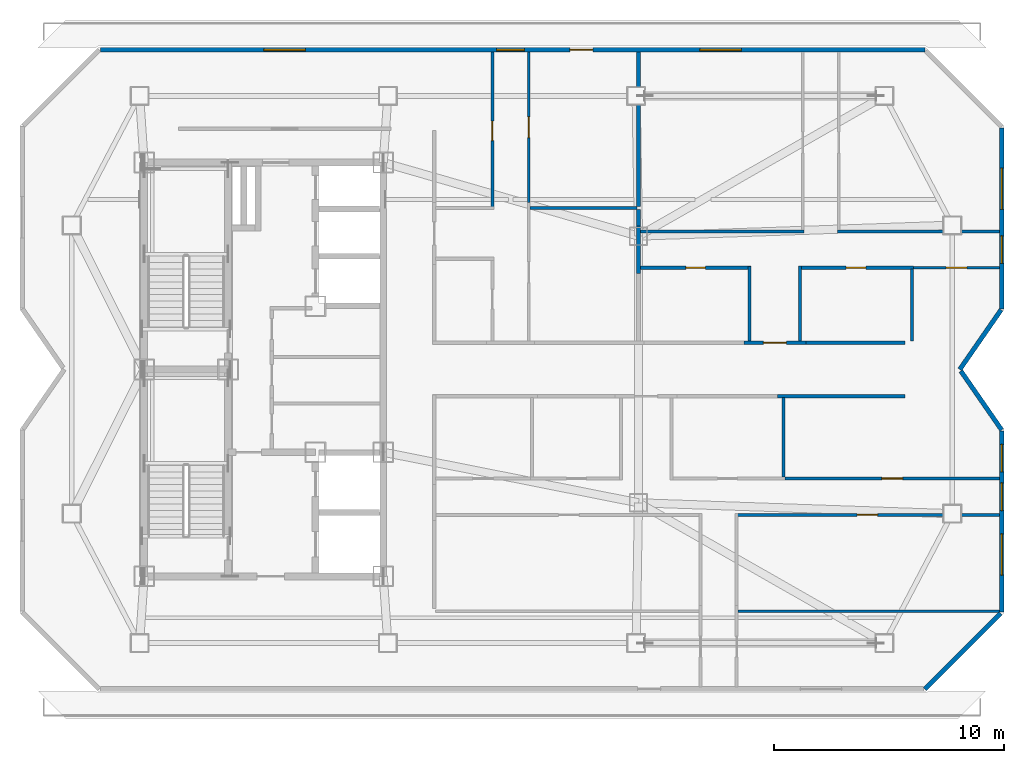
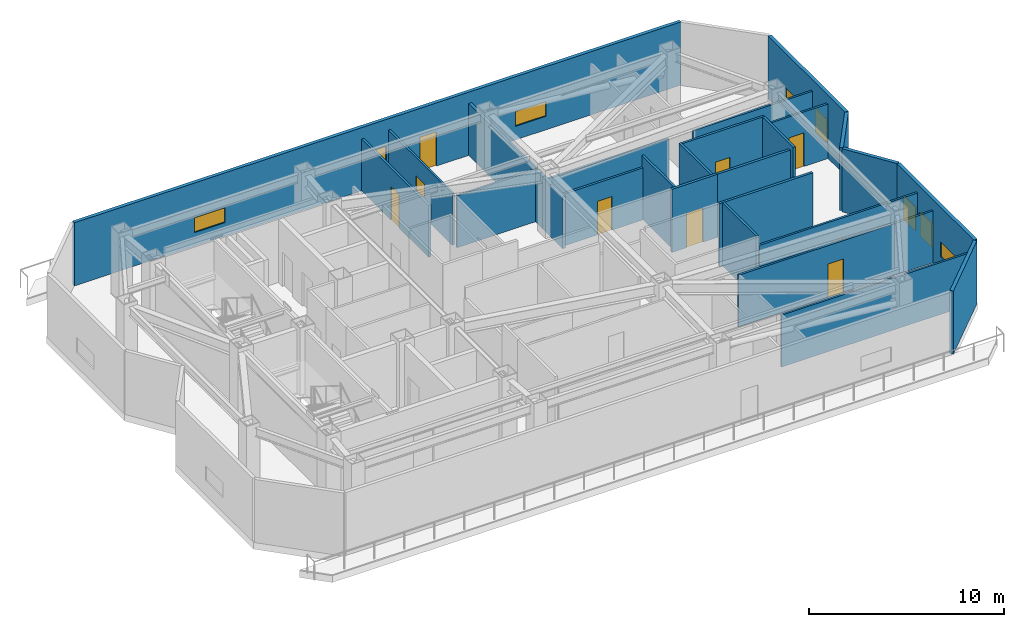
# One storey, part 6 of 11: 27 walls, 9 doors, 8 windows, 17 openings.
"""IFC4 building model written with IfcOpenShell, lengths in metres."""

from ifc_helpers import new_model, si_unit, direction, frame, frame_2d, origin, place, context, subcontext, project, spatial, rectangle, extrude, material, layer, layer_set, type_object, element, fill, save


model = new_model("IFC4")

# Units and contexts
model_context = context("Model", 3, precision=1e-05, world=origin(), true_north=direction((0.0, 1.0)))
body_context = subcontext(model_context, "Body", "Model", "MODEL_VIEW")
ifc_project = project(units=[si_unit("LENGTHUNIT", "METRE"), si_unit("AREAUNIT", "SQUARE_METRE"), si_unit("VOLUMEUNIT", "CUBIC_METRE"), si_unit("PLANEANGLEUNIT", "RADIAN"), si_unit("MASSUNIT", "GRAM", prefix="KILO")], contexts=[model_context])

# Site, building, storey
site_placement = place(None, origin())
site = spatial("IfcSite", under=ifc_project, at=site_placement, CompositionType="ELEMENT")
building_placement = place(site_placement, origin())
building = spatial("IfcBuilding", under=site, at=building_placement, Name="Khamvora Tower", CompositionType="ELEMENT")
storey_placement = place(building_placement, frame((0.0, 0.0, 277.85009765625)))
storey = spatial("IfcBuildingStorey", under=building, at=storey_placement, Name="L71", CompositionType="ELEMENT", Elevation=277.85009765625)

# Wall
ifc_material_1 = material(Name="Fire-Rated Drywall and Steel Stud", Category="steel")
ifc_layer_1 = layer(ifc_material_1, 0.14990234375)
ifc_layer_set_1 = layer_set([ifc_layer_1], Name="Fire-Rated Drywall and Steel Stud")
wall_type_1 = type_object("IfcWallType", Name="WAL-CORR-150", PredefinedType="STANDARD", material=ifc_layer_set_1)
wall_1_placement = place(storey_placement, frame((62.090087890625, 26.8349609375, 0.0), z_axis=(0.0, 0.0, 1.0), x_axis=(-1.0, 0.0, 0.0)))
element("IfcWall", 1, at=wall_1_placement, inside=storey, type_object=wall_type_1, Name="L71 interior partition wall 010", PredefinedType="STANDARD", context=body_context, shape_type="SweptSolid", body=[
    extrude(rectangle(XDim=5.5380859375, YDim=0.14990234375, at=frame_2d((2.76904296875, 0.0))), origin(), (0.0, 0.0, 1.0), 3.949951171875),
])

# Wall, opening, door
wall_2_placement = place(storey_placement, frame((55.08203125, 29.1650390625, 0.0), z_axis=(0.0, 0.0, 1.0), x_axis=(1.0, 0.0, 0.0)))
wall_2 = element("IfcWall", 2, at=wall_2_placement, inside=storey, type_object=wall_type_1, Name="L71 interior partition wall 022", PredefinedType="STANDARD", context=body_context, shape_type="SweptSolid", body=[
    extrude(rectangle(XDim=2.697998046875, YDim=0.14990234375, at=frame_2d((1.34912109375, 0.0))), origin(), (0.0, 0.0, 1.0), 3.949951171875),
])
opening_1_placement = place(wall_2_placement, frame((0.84912109375, 0.0, 0.0)))
opening_1 = element("IfcOpeningElement", 3, at=opening_1_placement, cuts=wall_2, Name="Opening D-U1", PredefinedType="OPENING", context=body_context, shape_type="SweptSolid", body=[
    extrude(rectangle(XDim=1.0, YDim=2.14990234375, at=frame_2d((0.5, 1.074951171875))), frame((0.0, 0.0849609375, 0.0), z_axis=(0.0, -1.0, 0.0), x_axis=(1.0, 0.0, 0.0)), (0.0, 0.0, 1.0), 0.169921875),
])
ifc_material_2 = material(Name="Powder-Coated Steel and Hardwood Leaf", Category="steel")
door_type_1 = type_object("IfcDoorType", Name="DOR-UNIT-1000", OperationType="NOTDEFINED", PredefinedType="DOOR", material=ifc_material_2)
door_1_placement = place(opening_1_placement, origin())
door_1 = element("IfcDoor", 4, at=door_1_placement, inside=storey, type_object=door_type_1, Name="L71 interior door COR-71DH", OperationType="SINGLE_SWING_RIGHT", OverallHeight=2.14990234375, OverallWidth=1.0, PredefinedType="DOOR", context=body_context, shape_type="SweptSolid", body=[
    extrude(rectangle(XDim=1.0, YDim=2.14990234375, at=frame_2d((0.5, 1.074951171875))), frame((0.0, 0.02490234375, 0.0), z_axis=(0.0, -1.0, 0.0), x_axis=(1.0, 0.0, 0.0)), (0.0, 0.0, 1.0), 0.050048828125),
])
fill(opening_1, door_1)

# Walls
wall_3_placement = place(storey_placement, frame((57.780029296875, 29.1650390625, 0.0), z_axis=(0.0, 0.0, 1.0), x_axis=(1.0, 0.0, 0.0)))
element("IfcWall", 5, at=wall_3_placement, inside=storey, type_object=wall_type_1, Name="L71 interior partition wall 024", PredefinedType="STANDARD", context=body_context, shape_type="SweptSolid", body=[
    extrude(rectangle(XDim=4.31005859375, YDim=0.14990234375, at=frame_2d((2.155029296875, 0.0))), origin(), (0.0, 0.0, 1.0), 3.949951171875),
])
ifc_material_3 = material(Name="Acoustic Double-Stud Fire Wall", Category="gypsum")
ifc_layer_2 = layer(ifc_material_3, 0.179931640625)
ifc_layer_set_2 = layer_set([ifc_layer_2], Name="Acoustic Double-Stud Fire Wall")
wall_type_2 = type_object("IfcWallType", Name="WAL-CORR-180", PredefinedType="STANDARD", material=ifc_layer_set_2)
wall_4_placement = place(storey_placement, frame((50.4951171875, 34.248046875, 0.0), z_axis=(0.0, 0.0, 1.0), x_axis=(0.0, -1.0, 0.0)))
element("IfcWall", 6, at=wall_4_placement, inside=storey, type_object=wall_type_2, Name="L71 interior partition wall 048", PredefinedType="STANDARD", context=body_context, shape_type="SweptSolid", body=[
    extrude(rectangle(XDim=2.069091796875, YDim=0.179931640625, at=frame_2d((1.03466796875, 0.0))), origin(), (0.0, 0.0, 1.0), 3.244873046875),
])
wall_5_placement = place(storey_placement, frame((50.4951171875, 34.9541015625, 0.0), z_axis=(0.0, 0.0, 1.0), x_axis=(0.0, -1.0, 0.0)))
element("IfcWall", 7, at=wall_5_placement, inside=storey, type_object=wall_type_2, Name="L71 interior partition wall 050", PredefinedType="STANDARD", context=body_context, shape_type="SweptSolid", body=[
    extrude(rectangle(XDim=0.7060546875, YDim=0.179931640625, at=frame_2d((0.35302734375, 0.0))), origin(), (0.0, 0.0, 1.0), 3.244873046875),
])
wall_6_placement = place(storey_placement, frame((50.4951171875, 41.80810546875, 0.0), z_axis=(0.0, 0.0, 1.0), x_axis=(0.0, -1.0, 0.0)))
element("IfcWall", 8, at=wall_6_placement, inside=storey, type_object=wall_type_2, Name="L71 interior partition wall 051", PredefinedType="STANDARD", context=body_context, shape_type="SweptSolid", body=[
    extrude(rectangle(XDim=6.72412109375, YDim=0.179931640625, at=frame_2d((3.362060546875, 0.0))), origin(), (0.0, 0.0, 1.0), 3.244873046875),
])

# Wall, openings, door, windows
ifc_material_4 = material(Name="Precast concrete C40/50", Category="concrete")
ifc_layer_3 = layer(ifc_material_4, 0.199951171875)
ifc_layer_set_3 = layer_set([ifc_layer_3], Name="Precast concrete C40/50")
wall_type_3 = type_object("IfcWallType", Name="WAL-EXT-200", PredefinedType="STANDARD", material=ifc_layer_set_3)
wall_7_placement = place(storey_placement, frame((27.10205078125, 41.89990234375, 0.0), z_axis=(0.0, 0.0, 1.0), x_axis=(1.0, 0.0, 0.0)))
wall_7 = element("IfcWall", 9, at=wall_7_placement, inside=storey, type_object=wall_type_3, Name="L71 exterior facade wall 07.1", PredefinedType="STANDARD", context=body_context, shape_type="SweptSolid", body=[
    extrude(rectangle(XDim=35.85693359375, YDim=0.199951171875, at=frame_2d((17.928466796875, 0.0))), origin(), (0.0, 0.0, 1.0), 3.949951171875),
])
opening_2_placement = place(wall_7_placement, frame((20.4169921875, 0.0, 0.0)))
opening_2 = element("IfcOpeningElement", 10, at=opening_2_placement, cuts=wall_7, Name="Opening BD-02", PredefinedType="OPENING", context=body_context, shape_type="SweptSolid", body=[
    extrude(rectangle(XDim=1.0, YDim=2.14990234375, at=frame_2d((0.5, 1.074951171875))), frame((0.0, 0.10986328125, 0.0), z_axis=(0.0, -1.0, 0.0), x_axis=(1.0, 0.0, 0.0)), (0.0, 0.0, 1.0), 0.219970703125),
])
opening_3_placement = place(wall_7_placement, frame((7.10791015625, 0.0, 0.85009765625)))
opening_3 = element("IfcOpeningElement", 11, at=opening_3_placement, cuts=wall_7, Name="Opening WN-09", PredefinedType="OPENING", context=body_context, shape_type="SweptSolid", body=[
    extrude(rectangle(XDim=1.800048828125, YDim=0.919921875, at=frame_2d((0.89990234375, 0.4599609375))), frame((0.0, 0.10986328125, 0.0), z_axis=(0.0, -1.0, 0.0), x_axis=(1.0, 0.0, 0.0)), (0.0, 0.0, 1.0), 0.219970703125),
])
opening_4_placement = place(wall_7_placement, frame((17.23291015625, 0.0, 0.780029296875)))
opening_4 = element("IfcOpeningElement", 12, at=opening_4_placement, cuts=wall_7, Name="Opening WN-03", PredefinedType="OPENING", context=body_context, shape_type="SweptSolid", body=[
    extrude(rectangle(XDim=1.199951171875, YDim=1.5, at=frame_2d((0.60009765625, 0.75))), frame((0.0, 0.10986328125, 0.0), z_axis=(0.0, -1.0, 0.0), x_axis=(1.0, 0.0, 0.0)), (0.0, 0.0, 1.0), 0.219970703125),
])
opening_5_placement = place(wall_7_placement, frame((26.072998046875, 0.0, 0.85009765625)))
opening_5 = element("IfcOpeningElement", 13, at=opening_5_placement, cuts=wall_7, Name="Opening WN-09", PredefinedType="OPENING", context=body_context, shape_type="SweptSolid", body=[
    extrude(rectangle(XDim=1.800048828125, YDim=0.919921875, at=frame_2d((0.89990234375, 0.4599609375))), frame((0.0, 0.10986328125, 0.0), z_axis=(0.0, -1.0, 0.0), x_axis=(1.0, 0.0, 0.0)), (0.0, 0.0, 1.0), 0.219970703125),
])
ifc_material_5 = material(Name="Anodised Aluminium and Laminated Safety Glass", Category="aluminium")
door_type_2 = type_object("IfcDoorType", Name="DOR-BAL-1000", OperationType="NOTDEFINED", PredefinedType="DOOR", material=ifc_material_5)
door_2_placement = place(opening_2_placement, origin())
door_2 = element("IfcDoor", 14, at=door_2_placement, inside=storey, type_object=door_type_2, Name="L71 stepped roof terrace access door N", OperationType="SLIDING_TO_LEFT", OverallHeight=2.14990234375, OverallWidth=1.0, PredefinedType="DOOR", context=body_context, shape_type="SweptSolid", body=[
    extrude(rectangle(XDim=1.0, YDim=2.14990234375, at=frame_2d((0.5, 1.074951171875))), frame((0.0, 0.02490234375, 0.0), z_axis=(0.0, -1.0, 0.0), x_axis=(1.0, 0.0, 0.0)), (0.0, 0.0, 1.0), 0.050048828125),
])
fill(opening_2, door_2)
ifc_material_6 = material(Name="Low-E Laminated Double Glazing", Category="glass")
window_type_1 = type_object("IfcWindowType", Name="WIN-CLR-1800x920", PartitioningType="SINGLE_PANEL", PredefinedType="WINDOW", material=ifc_material_6)
window_1_placement = place(opening_3_placement, origin())
window_1 = element("IfcWindow", 15, at=window_1_placement, inside=storey, type_object=window_type_1, Name="L71 vision window 07.1.01", OverallHeight=0.919921875, OverallWidth=1.800048828125, PartitioningType="SINGLE_PANEL", PredefinedType="WINDOW", context=body_context, shape_type="SweptSolid", body=[
    extrude(rectangle(XDim=1.800048828125, YDim=0.919921875, at=frame_2d((0.89990234375, 0.4599609375))), frame((0.0, 0.030029296875, 0.0), z_axis=(0.0, -1.0, 0.0), x_axis=(1.0, 0.0, 0.0)), (0.0, 0.0, 1.0), 0.06005859375),
])
fill(opening_3, window_1)
window_2_placement = place(opening_5_placement, origin())
window_2 = element("IfcWindow", 16, at=window_2_placement, inside=storey, type_object=window_type_1, Name="L71 vision window 07.1.03", OverallHeight=0.919921875, OverallWidth=1.800048828125, PartitioningType="SINGLE_PANEL", PredefinedType="WINDOW", context=body_context, shape_type="SweptSolid", body=[
    extrude(rectangle(XDim=1.800048828125, YDim=0.919921875, at=frame_2d((0.89990234375, 0.4599609375))), frame((0.0, 0.030029296875, 0.0), z_axis=(0.0, -1.0, 0.0), x_axis=(1.0, 0.0, 0.0)), (0.0, 0.0, 1.0), 0.06005859375),
])
fill(opening_5, window_2)
window_type_2 = type_object("IfcWindowType", Name="WIN-VIS-1200x1500", PartitioningType="SINGLE_PANEL", PredefinedType="WINDOW", material=ifc_material_6)
window_3_placement = place(opening_4_placement, origin())
window_3 = element("IfcWindow", 17, at=window_3_placement, inside=storey, type_object=window_type_2, Name="L71 vision window 07.1.02", OverallHeight=1.5, OverallWidth=1.199951171875, PartitioningType="SINGLE_PANEL", PredefinedType="WINDOW", context=body_context, shape_type="SweptSolid", body=[
    extrude(rectangle(XDim=1.199951171875, YDim=1.5, at=frame_2d((0.60009765625, 0.75))), frame((0.0, 0.030029296875, 0.0), z_axis=(0.0, -1.0, 0.0), x_axis=(1.0, 0.0, 0.0)), (0.0, 0.0, 1.0), 0.06005859375),
])
fill(opening_4, window_3)

# Wall, openings, windows
wall_8_placement = place(storey_placement, frame((66.300048828125, 38.49609375, 0.0), z_axis=(0.0, 0.0, 1.0), x_axis=(0.0, -1.0, 0.0)))
wall_8 = element("IfcWall", 18, at=wall_8_placement, inside=storey, type_object=wall_type_3, Name="L71 exterior facade wall 09.1", PredefinedType="STANDARD", context=body_context, shape_type="SweptSolid", body=[
    extrude(rectangle(XDim=7.864990234375, YDim=0.199951171875, at=frame_2d((3.9326171875, 0.0))), origin(), (0.0, 0.0, 1.0), 3.949951171875),
])
opening_6_placement = place(wall_8_placement, frame((4.681884765625, 0.0, 0.780029296875)))
opening_6 = element("IfcOpeningElement", 19, at=opening_6_placement, cuts=wall_8, Name="Opening WN-03", PredefinedType="OPENING", context=body_context, shape_type="SweptSolid", body=[
    extrude(rectangle(XDim=1.199951171875, YDim=1.5, at=frame_2d((0.60009765625, 0.75))), frame((0.0, 0.10986328125, 0.0), z_axis=(0.0, -1.0, 0.0), x_axis=(1.0, 0.0, 0.0)), (0.0, 0.0, 1.0), 0.219970703125),
])
opening_7_placement = place(wall_8_placement, frame((1.738037109375, 0.0, 0.85009765625)))
opening_7 = element("IfcOpeningElement", 20, at=opening_7_placement, cuts=wall_8, Name="Opening WN-09", PredefinedType="OPENING", context=body_context, shape_type="SweptSolid", body=[
    extrude(rectangle(XDim=1.800048828125, YDim=0.919921875, at=frame_2d((0.89990234375, 0.4599609375))), frame((0.0, 0.10986328125, 0.0), z_axis=(0.0, -1.0, 0.0), x_axis=(1.0, 0.0, 0.0)), (0.0, 0.0, 1.0), 0.219970703125),
])
window_4_placement = place(opening_7_placement, origin())
window_4 = element("IfcWindow", 21, at=window_4_placement, inside=storey, type_object=window_type_1, Name="L71 vision window 09.1.02", OverallHeight=0.919921875, OverallWidth=1.800048828125, PartitioningType="SINGLE_PANEL", PredefinedType="WINDOW", context=body_context, shape_type="SweptSolid", body=[
    extrude(rectangle(XDim=1.800048828125, YDim=0.919921875, at=frame_2d((0.89990234375, 0.4599609375))), frame((0.0, 0.030029296875, 0.0), z_axis=(0.0, -1.0, 0.0), x_axis=(1.0, 0.0, 0.0)), (0.0, 0.0, 1.0), 0.06005859375),
])
fill(opening_7, window_4)
window_5_placement = place(opening_6_placement, origin())
window_5 = element("IfcWindow", 22, at=window_5_placement, inside=storey, type_object=window_type_2, Name="L71 vision window 09.1.01", OverallHeight=1.5, OverallWidth=1.199951171875, PartitioningType="SINGLE_PANEL", PredefinedType="WINDOW", context=body_context, shape_type="SweptSolid", body=[
    extrude(rectangle(XDim=1.199951171875, YDim=1.5, at=frame_2d((0.60009765625, 0.75))), frame((0.0, 0.030029296875, 0.0), z_axis=(0.0, -1.0, 0.0), x_axis=(1.0, 0.0, 0.0)), (0.0, 0.0, 1.0), 0.06005859375),
])
fill(opening_6, window_5)

# Walls
wall_9_placement = place(storey_placement, frame((66.27294921875, 30.592041015625, 0.0), z_axis=(0.0, 0.0, 1.0), x_axis=(-0.569302587555, -0.822128070195, 0.0)))
element("IfcWall", 23, at=wall_9_placement, inside=storey, type_object=wall_type_3, Name="L71 exterior facade wall 10.1", PredefinedType="STANDARD", context=body_context, shape_type="SweptSolid", body=[
    extrude(rectangle(XDim=3.15283203125, YDim=0.199951171875, at=frame_2d((1.576416015625, 0.0))), origin(), (0.0, 0.0, 1.0), 3.949951171875),
])
wall_10_placement = place(storey_placement, frame((64.52587890625, 27.930908203125, 0.0), z_axis=(0.0, 0.0, 1.0), x_axis=(0.569311819154, -0.822121677473, 0.0)))
element("IfcWall", 24, at=wall_10_placement, inside=storey, type_object=wall_type_3, Name="L71 exterior facade wall 11.1", PredefinedType="STANDARD", context=body_context, shape_type="SweptSolid", body=[
    extrude(rectangle(XDim=3.116455078125, YDim=0.199951171875, at=frame_2d((1.55810546875, 0.0))), origin(), (0.0, 0.0, 1.0), 3.949951171875),
])

# Wall, openings, windows
wall_11_placement = place(storey_placement, frame((66.300048828125, 25.321044921875, 0.0), z_axis=(0.0, 0.0, 1.0), x_axis=(0.0, -1.0, 0.0)))
wall_11 = element("IfcWall", 25, at=wall_11_placement, inside=storey, type_object=wall_type_3, Name="L71 exterior facade wall 12.1", PredefinedType="STANDARD", context=body_context, shape_type="SweptSolid", body=[
    extrude(rectangle(XDim=7.880126953125, YDim=0.199951171875, at=frame_2d((3.93994140625, 0.0))), origin(), (0.0, 0.0, 1.0), 3.949951171875),
])
opening_8_placement = place(wall_11_placement, frame((0.574951171875, 0.0, 0.780029296875)))
opening_8 = element("IfcOpeningElement", 26, at=opening_8_placement, cuts=wall_11, Name="Opening WN-03", PredefinedType="OPENING", context=body_context, shape_type="SweptSolid", body=[
    extrude(rectangle(XDim=1.199951171875, YDim=1.5, at=frame_2d((0.60009765625, 0.75))), frame((0.0, 0.10986328125, 0.0), z_axis=(0.0, -1.0, 0.0), x_axis=(1.0, 0.0, 0.0)), (0.0, 0.0, 1.0), 0.219970703125),
])
opening_9_placement = place(wall_11_placement, frame((2.256103515625, 0.0, 0.780029296875)))
opening_9 = element("IfcOpeningElement", 27, at=opening_9_placement, cuts=wall_11, Name="Opening WN-03", PredefinedType="OPENING", context=body_context, shape_type="SweptSolid", body=[
    extrude(rectangle(XDim=1.199951171875, YDim=1.5, at=frame_2d((0.60009765625, 0.75))), frame((0.0, 0.10986328125, 0.0), z_axis=(0.0, -1.0, 0.0), x_axis=(1.0, 0.0, 0.0)), (0.0, 0.0, 1.0), 0.219970703125),
])
opening_10_placement = place(wall_11_placement, frame((4.470947265625, 0.0, 0.85009765625)))
opening_10 = element("IfcOpeningElement", 28, at=opening_10_placement, cuts=wall_11, Name="Opening WN-09", PredefinedType="OPENING", context=body_context, shape_type="SweptSolid", body=[
    extrude(rectangle(XDim=1.800048828125, YDim=0.919921875, at=frame_2d((0.89990234375, 0.4599609375))), frame((0.0, 0.10986328125, 0.0), z_axis=(0.0, -1.0, 0.0), x_axis=(1.0, 0.0, 0.0)), (0.0, 0.0, 1.0), 0.219970703125),
])
window_6_placement = place(opening_10_placement, origin())
window_6 = element("IfcWindow", 29, at=window_6_placement, inside=storey, type_object=window_type_1, Name="L71 vision window 12.1.03", OverallHeight=0.919921875, OverallWidth=1.800048828125, PartitioningType="SINGLE_PANEL", PredefinedType="WINDOW", context=body_context, shape_type="SweptSolid", body=[
    extrude(rectangle(XDim=1.800048828125, YDim=0.919921875, at=frame_2d((0.89990234375, 0.4599609375))), frame((0.0, 0.030029296875, 0.0), z_axis=(0.0, -1.0, 0.0), x_axis=(1.0, 0.0, 0.0)), (0.0, 0.0, 1.0), 0.06005859375),
])
fill(opening_10, window_6)
window_7_placement = place(opening_8_placement, origin())
window_7 = element("IfcWindow", 30, at=window_7_placement, inside=storey, type_object=window_type_2, Name="L71 vision window 12.1.01", OverallHeight=1.5, OverallWidth=1.199951171875, PartitioningType="SINGLE_PANEL", PredefinedType="WINDOW", context=body_context, shape_type="SweptSolid", body=[
    extrude(rectangle(XDim=1.199951171875, YDim=1.5, at=frame_2d((0.60009765625, 0.75))), frame((0.0, 0.030029296875, 0.0), z_axis=(0.0, -1.0, 0.0), x_axis=(1.0, 0.0, 0.0)), (0.0, 0.0, 1.0), 0.06005859375),
])
fill(opening_8, window_7)
window_8_placement = place(opening_9_placement, origin())
window_8 = element("IfcWindow", 31, at=window_8_placement, inside=storey, type_object=window_type_2, Name="L71 vision window 12.1.02", OverallHeight=1.5, OverallWidth=1.199951171875, PartitioningType="SINGLE_PANEL", PredefinedType="WINDOW", context=body_context, shape_type="SweptSolid", body=[
    extrude(rectangle(XDim=1.199951171875, YDim=1.5, at=frame_2d((0.60009765625, 0.75))), frame((0.0, 0.030029296875, 0.0), z_axis=(0.0, -1.0, 0.0), x_axis=(1.0, 0.0, 0.0)), (0.0, 0.0, 1.0), 0.06005859375),
])
fill(opening_9, window_8)

# Wall
wall_12_placement = place(storey_placement, frame((66.2548828125, 17.39599609375, 0.0), z_axis=(0.0, 0.0, 1.0), x_axis=(-0.707106781187, -0.707106781187, 0.0)))
element("IfcWall", 32, at=wall_12_placement, inside=storey, type_object=wall_type_3, Name="L71 exterior facade wall 13.1", PredefinedType="STANDARD", context=body_context, shape_type="SweptSolid", body=[
    extrude(rectangle(XDim=4.6611328125, YDim=0.199951171875, at=frame_2d((2.33056640625, 0.0))), origin(), (0.0, 0.0, 1.0), 3.949951171875),
])

# Wall, opening, door
ifc_material_7 = material(Name="Gypsum Plasterboard Partition", Category="gypsum")
ifc_layer_4 = layer(ifc_material_7, 0.1201171875)
ifc_layer_set_4 = layer_set([ifc_layer_4], Name="Gypsum Plasterboard Partition")
wall_type_4 = type_object("IfcWallType", Name="WAL-PART-120", PredefinedType="PARTITIONING", material=ifc_layer_set_4)
wall_13_placement = place(storey_placement, frame((66.2080078125, 23.2548828125, 0.0), z_axis=(0.0, 0.0, 1.0), x_axis=(-1.0, 0.0, 0.0)))
wall_13 = element("IfcWall", 33, at=wall_13_placement, inside=storey, type_object=wall_type_4, Name="L71 interior partition wall 027", PredefinedType="PARTITIONING", context=body_context, shape_type="SweptSolid", body=[
    extrude(rectangle(XDim=9.342041015625, YDim=0.1201171875, at=frame_2d((4.6708984375, 0.0))), origin(), (0.0, 0.0, 1.0), 3.406982421875),
])
opening_11_placement = place(wall_13_placement, frame((4.220947265625, 0.0, 0.0)))
opening_11 = element("IfcOpeningElement", 34, at=opening_11_placement, cuts=wall_13, Name="Opening D-RM1", PredefinedType="OPENING", context=body_context, shape_type="SweptSolid", body=[
    extrude(rectangle(XDim=0.89990234375, YDim=2.10009765625, at=frame_2d((0.449951171875, 1.050048828125))), frame((0.0, 0.070068359375, 0.0), z_axis=(0.0, -1.0, 0.0), x_axis=(1.0, 0.0, 0.0)), (0.0, 0.0, 1.0), 0.14013671875),
])
door_type_3 = type_object("IfcDoorType", Name="DOR-ROOM-900", OperationType="NOTDEFINED", PredefinedType="DOOR", material=ifc_material_2)
door_3_placement = place(opening_11_placement, origin())
door_3 = element("IfcDoor", 35, at=door_3_placement, inside=storey, type_object=door_type_3, Name="L71 interior door 71BW2-71BH", OperationType="SINGLE_SWING_RIGHT", OverallHeight=2.10009765625, OverallWidth=0.89990234375, PredefinedType="DOOR", context=body_context, shape_type="SweptSolid", body=[
    extrude(rectangle(XDim=0.89990234375, YDim=2.10009765625, at=frame_2d((0.449951171875, 1.050048828125))), frame((0.0, 0.02490234375, 0.0), z_axis=(0.0, -1.0, 0.0), x_axis=(1.0, 0.0, 0.0)), (0.0, 0.0, 1.0), 0.050048828125),
])
fill(opening_11, door_3)

wall_14_placement = place(storey_placement, frame((66.2080078125, 21.675048828125, 0.0), z_axis=(0.0, 0.0, 1.0), x_axis=(-1.0, 0.0, 0.0)))
wall_14 = element("IfcWall", 36, at=wall_14_placement, inside=storey, type_object=wall_type_4, Name="L71 interior partition wall 037", PredefinedType="PARTITIONING", context=body_context, shape_type="SweptSolid", body=[
    extrude(rectangle(XDim=11.5029296875, YDim=0.1201171875, at=frame_2d((5.75146484375, 0.0))), origin(), (0.0, 0.0, 1.0), 3.244873046875),
])
opening_12_placement = place(wall_14_placement, frame((5.301025390625, 0.0, 0.0)))
opening_12 = element("IfcOpeningElement", 37, at=opening_12_placement, cuts=wall_14, Name="Opening D-RM1", PredefinedType="OPENING", context=body_context, shape_type="SweptSolid", body=[
    extrude(rectangle(XDim=0.89990234375, YDim=2.10009765625, at=frame_2d((0.449951171875, 1.050048828125))), frame((0.0, 0.070068359375, 0.0), z_axis=(0.0, -1.0, 0.0), x_axis=(1.0, 0.0, 0.0)), (0.0, 0.0, 1.0), 0.14013671875),
])
door_4_placement = place(opening_12_placement, origin())
door_4 = element("IfcDoor", 38, at=door_4_placement, inside=storey, type_object=door_type_3, Name="L71 interior door 71BH-71BR4", OperationType="SINGLE_SWING_RIGHT", OverallHeight=2.10009765625, OverallWidth=0.89990234375, PredefinedType="DOOR", context=body_context, shape_type="SweptSolid", body=[
    extrude(rectangle(XDim=0.89990234375, YDim=2.10009765625, at=frame_2d((0.449951171875, 1.050048828125))), frame((0.0, 0.02490234375, 0.0), z_axis=(0.0, -1.0, 0.0), x_axis=(1.0, 0.0, 0.0)), (0.0, 0.0, 1.0), 0.050048828125),
])
fill(opening_12, door_4)

# Wall
wall_15_placement = place(storey_placement, frame((54.823974609375, 17.488037109375, 0.0), z_axis=(0.0, 0.0, 1.0), x_axis=(1.0, 0.0, 0.0)))
element("IfcWall", 39, at=wall_15_placement, inside=storey, type_object=wall_type_4, Name="L71 interior partition wall 040", PredefinedType="PARTITIONING", context=body_context, shape_type="SweptSolid", body=[
    extrude(rectangle(XDim=11.384033203125, YDim=0.1201171875, at=frame_2d((5.69189453125, 0.0))), origin(), (0.0, 0.0, 1.0), 3.244873046875),
])

# Wall, opening, door
wall_16_placement = place(storey_placement, frame((45.72509765625, 41.80810546875, 0.0), z_axis=(0.0, 0.0, 1.0), x_axis=(0.0, -1.0, 0.0)))
wall_16 = element("IfcWall", 40, at=wall_16_placement, inside=storey, type_object=wall_type_4, Name="L71 interior partition wall 046", PredefinedType="PARTITIONING", context=body_context, shape_type="SweptSolid", body=[
    extrude(rectangle(XDim=6.5400390625, YDim=0.1201171875, at=frame_2d((3.27001953125, 0.0))), origin(), (0.0, 0.0, 1.0), 3.244873046875),
])
opening_13_placement = place(wall_16_placement, frame((2.820068359375, 0.0, 0.0)))
opening_13 = element("IfcOpeningElement", 41, at=opening_13_placement, cuts=wall_16, Name="Opening D-RM1", PredefinedType="OPENING", context=body_context, shape_type="SweptSolid", body=[
    extrude(rectangle(XDim=0.89990234375, YDim=2.10009765625, at=frame_2d((0.449951171875, 1.050048828125))), frame((0.0, 0.070068359375, 0.0), z_axis=(0.0, -1.0, 0.0), x_axis=(1.0, 0.0, 0.0)), (0.0, 0.0, 1.0), 0.14013671875),
])
door_5_placement = place(opening_13_placement, origin())
door_5 = element("IfcDoor", 42, at=door_5_placement, inside=storey, type_object=door_type_3, Name="L71 interior door 71CH-71CR2", OperationType="SINGLE_SWING_RIGHT", OverallHeight=2.10009765625, OverallWidth=0.89990234375, PredefinedType="DOOR", context=body_context, shape_type="SweptSolid", body=[
    extrude(rectangle(XDim=0.89990234375, YDim=2.10009765625, at=frame_2d((0.449951171875, 1.050048828125))), frame((0.0, 0.02490234375, 0.0), z_axis=(0.0, -1.0, 0.0), x_axis=(1.0, 0.0, 0.0)), (0.0, 0.0, 1.0), 0.050048828125),
])
fill(opening_13, door_5)

# Wall
wall_17_placement = place(storey_placement, frame((45.779052734375, 35.01904296875, 0.0), z_axis=(0.0, 0.0, 1.0), x_axis=(1.0, 0.0, 0.0)))
element("IfcWall", 43, at=wall_17_placement, inside=storey, type_object=wall_type_4, Name="L71 interior partition wall 047", PredefinedType="PARTITIONING", context=body_context, shape_type="SweptSolid", body=[
    extrude(rectangle(XDim=4.65087890625, YDim=0.1201171875, at=frame_2d((2.325439453125, 0.0))), origin(), (0.0, 0.0, 1.0), 3.244873046875),
])

# Wall, opening, door
wall_18_placement = place(storey_placement, frame((62.4609375, 32.424072265625, 0.0), z_axis=(0.0, 0.0, 1.0), x_axis=(1.0, 0.0, 0.0)))
wall_18 = element("IfcWall", 44, at=wall_18_placement, inside=storey, type_object=wall_type_4, Name="L71 interior partition wall 052", PredefinedType="PARTITIONING", context=body_context, shape_type="SweptSolid", body=[
    extrude(rectangle(XDim=3.7470703125, YDim=0.1201171875, at=frame_2d((1.87353515625, 0.0))), origin(), (0.0, 0.0, 1.0), 3.406982421875),
])
opening_14_placement = place(wall_18_placement, frame((1.423095703125, 0.0, 0.0)))
opening_14 = element("IfcOpeningElement", 45, at=opening_14_placement, cuts=wall_18, Name="Opening D-RM1", PredefinedType="OPENING", context=body_context, shape_type="SweptSolid", body=[
    extrude(rectangle(XDim=0.89990234375, YDim=2.10009765625, at=frame_2d((0.449951171875, 1.050048828125))), frame((0.0, 0.070068359375, 0.0), z_axis=(0.0, -1.0, 0.0), x_axis=(1.0, 0.0, 0.0)), (0.0, 0.0, 1.0), 0.14013671875),
])
door_6_placement = place(opening_14_placement, origin())
door_6 = element("IfcDoor", 46, at=door_6_placement, inside=storey, type_object=door_type_3, Name="L71 interior door 71DW2-71DH", OperationType="SINGLE_SWING_LEFT", OverallHeight=2.10009765625, OverallWidth=0.89990234375, PredefinedType="DOOR", context=body_context, shape_type="SweptSolid", body=[
    extrude(rectangle(XDim=0.89990234375, YDim=2.10009765625, at=frame_2d((0.449951171875, 1.050048828125))), frame((0.0, 0.02490234375, 0.0), z_axis=(0.0, -1.0, 0.0), x_axis=(1.0, 0.0, 0.0)), (0.0, 0.0, 1.0), 0.050048828125),
])
fill(opening_14, door_6)

# Walls
wall_19_placement = place(storey_placement, frame((50.576904296875, 34.00390625, 0.0), z_axis=(0.0, 0.0, 1.0), x_axis=(1.0, 0.0, 0.0)))
element("IfcWall", 47, at=wall_19_placement, inside=storey, type_object=wall_type_4, Name="L71 interior partition wall 058", PredefinedType="PARTITIONING", context=body_context, shape_type="SweptSolid", body=[
    extrude(rectangle(XDim=7.133056640625, YDim=0.1201171875, at=frame_2d((3.56640625, 0.0))), origin(), (0.0, 0.0, 1.0), 3.244873046875),
])
wall_20_placement = place(storey_placement, frame((59.14990234375, 34.00390625, 0.0), z_axis=(0.0, 0.0, 1.0), x_axis=(1.0, 0.0, 0.0)))
element("IfcWall", 48, at=wall_20_placement, inside=storey, type_object=wall_type_4, Name="L71 interior partition wall 061", PredefinedType="PARTITIONING", context=body_context, shape_type="SweptSolid", body=[
    extrude(rectangle(XDim=7.05810546875, YDim=0.1201171875, at=frame_2d((3.529052734375, 0.0))), origin(), (0.0, 0.0, 1.0), 3.244873046875),
])
ifc_material_8 = material(Name="Moisture-Resistant Plasterboard Partition", Category="gypsum")
ifc_layer_5 = layer(ifc_material_8, 0.135009765625)
ifc_layer_set_5 = layer_set([ifc_layer_5], Name="Moisture-Resistant Plasterboard Partition")
wall_type_5 = type_object("IfcWallType", Name="WAL-WET-135", PredefinedType="PARTITIONING", material=ifc_layer_set_5)
wall_21_placement = place(storey_placement, frame((56.801025390625, 23.320068359375, 0.0), z_axis=(0.0, 0.0, 1.0), x_axis=(0.0, 1.0, 0.0)))
element("IfcWall", 49, at=wall_21_placement, inside=storey, type_object=wall_type_5, Name="L71 interior partition wall 028", PredefinedType="PARTITIONING", context=body_context, shape_type="SweptSolid", body=[
    extrude(rectangle(XDim=3.449951171875, YDim=0.135009765625, at=frame_2d((1.72509765625, 0.0))), origin(), (0.0, 0.0, 1.0), 3.949951171875),
])

# Wall, opening, door
wall_22_placement = place(storey_placement, frame((44.14501953125, 34.950927734375, 0.0), z_axis=(0.0, 0.0, 1.0), x_axis=(0.0, 1.0, 0.0)))
wall_22 = element("IfcWall", 50, at=wall_22_placement, inside=storey, type_object=wall_type_5, Name="L71 interior partition wall 044", PredefinedType="PARTITIONING", context=body_context, shape_type="SweptSolid", body=[
    extrude(rectangle(XDim=6.857177734375, YDim=0.135009765625, at=frame_2d((3.4287109375, 0.0))), origin(), (0.0, 0.0, 1.0), 3.244873046875),
])
opening_15_placement = place(wall_22_placement, frame((3.00390625, 0.0, 0.0)))
opening_15 = element("IfcOpeningElement", 51, at=opening_15_placement, cuts=wall_22, Name="Opening D-RM2", PredefinedType="OPENING", context=body_context, shape_type="SweptSolid", body=[
    extrude(rectangle(XDim=0.85009765625, YDim=2.10009765625, at=frame_2d((0.425048828125, 1.050048828125))), frame((0.0, 0.077392578125, 0.0), z_axis=(0.0, -1.0, 0.0), x_axis=(1.0, 0.0, 0.0)), (0.0, 0.0, 1.0), 0.155029296875),
])
door_type_4 = type_object("IfcDoorType", Name="DOR-ROOM-850", OperationType="NOTDEFINED", PredefinedType="DOOR", material=ifc_material_2)
door_7_placement = place(opening_15_placement, origin())
door_7 = element("IfcDoor", 52, at=door_7_placement, inside=storey, type_object=door_type_4, Name="L71 interior door 71CH-71CK", OperationType="SINGLE_SWING_RIGHT", OverallHeight=2.10009765625, OverallWidth=0.85009765625, PredefinedType="DOOR", context=body_context, shape_type="SweptSolid", body=[
    extrude(rectangle(XDim=0.85009765625, YDim=2.10009765625, at=frame_2d((0.425048828125, 1.050048828125))), frame((0.0, 0.02490234375, 0.0), z_axis=(0.0, -1.0, 0.0), x_axis=(1.0, 0.0, 0.0)), (0.0, 0.0, 1.0), 0.050048828125),
])
fill(opening_15, door_7)

# Walls
wall_23_placement = place(storey_placement, frame((62.39599609375, 29.22998046875, 0.0), z_axis=(0.0, 0.0, 1.0), x_axis=(0.0, 1.0, 0.0)))
element("IfcWall", 53, at=wall_23_placement, inside=storey, type_object=wall_type_5, Name="L71 interior partition wall 053", PredefinedType="PARTITIONING", context=body_context, shape_type="SweptSolid", body=[
    extrude(rectangle(XDim=3.12890625, YDim=0.135009765625, at=frame_2d((1.564453125, 0.0))), origin(), (0.0, 0.0, 1.0), 3.949951171875),
])
wall_24_placement = place(storey_placement, frame((55.3310546875, 29.22998046875, 0.0), z_axis=(0.0, 0.0, 1.0), x_axis=(0.0, 1.0, 0.0)))
element("IfcWall", 54, at=wall_24_placement, inside=storey, type_object=wall_type_5, Name="L71 interior partition wall 054", PredefinedType="PARTITIONING", context=body_context, shape_type="SweptSolid", body=[
    extrude(rectangle(XDim=3.259033203125, YDim=0.135009765625, at=frame_2d((1.62939453125, 0.0))), origin(), (0.0, 0.0, 1.0), 3.949951171875),
])

# Wall, opening, door
wall_25_placement = place(storey_placement, frame((55.39599609375, 32.424072265625, 0.0), z_axis=(0.0, 0.0, 1.0), x_axis=(-1.0, 0.0, 0.0)))
wall_25 = element("IfcWall", 55, at=wall_25_placement, inside=storey, type_object=wall_type_5, Name="L71 interior partition wall 055", PredefinedType="PARTITIONING", context=body_context, shape_type="SweptSolid", body=[
    extrude(rectangle(XDim=4.819091796875, YDim=0.135009765625, at=frame_2d((2.40966796875, 0.0))), origin(), (0.0, 0.0, 1.0), 3.244873046875),
])
opening_16_placement = place(wall_25_placement, frame((1.98388671875, 0.0, 0.0)))
opening_16 = element("IfcOpeningElement", 56, at=opening_16_placement, cuts=wall_25, Name="Opening D-WC1", PredefinedType="OPENING", context=body_context, shape_type="SweptSolid", body=[
    extrude(rectangle(XDim=0.85009765625, YDim=2.10009765625, at=frame_2d((0.425048828125, 1.050048828125))), frame((0.0, 0.077392578125, 0.0), z_axis=(0.0, -1.0, 0.0), x_axis=(1.0, 0.0, 0.0)), (0.0, 0.0, 1.0), 0.155029296875),
])
door_type_5 = type_object("IfcDoorType", Name="DOR-WET-850", OperationType="NOTDEFINED", PredefinedType="DOOR", material=ifc_material_2)
door_8_placement = place(opening_16_placement, origin())
door_8 = element("IfcDoor", 57, at=door_8_placement, inside=storey, type_object=door_type_5, Name="L71 interior door 71DH-71DB", OperationType="SINGLE_SWING_RIGHT", OverallHeight=2.10009765625, OverallWidth=0.85009765625, PredefinedType="DOOR", context=body_context, shape_type="SweptSolid", body=[
    extrude(rectangle(XDim=0.85009765625, YDim=2.10009765625, at=frame_2d((0.425048828125, 1.050048828125))), frame((0.0, 0.02490234375, 0.0), z_axis=(0.0, -1.0, 0.0), x_axis=(1.0, 0.0, 0.0)), (0.0, 0.0, 1.0), 0.050048828125),
])
fill(opening_16, door_8)

wall_26_placement = place(storey_placement, frame((62.4609375, 32.424072265625, 0.0), z_axis=(0.0, 0.0, 1.0), x_axis=(-1.0, 0.0, 0.0)))
wall_26 = element("IfcWall", 58, at=wall_26_placement, inside=storey, type_object=wall_type_5, Name="L71 interior partition wall 056", PredefinedType="PARTITIONING", context=body_context, shape_type="SweptSolid", body=[
    extrude(rectangle(XDim=4.994873046875, YDim=0.135009765625, at=frame_2d((2.49755859375, 0.0))), origin(), (0.0, 0.0, 1.0), 3.949951171875),
])
opening_17_placement = place(wall_26_placement, frame((2.072998046875, 0.0, 0.0)))
opening_17 = element("IfcOpeningElement", 59, at=opening_17_placement, cuts=wall_26, Name="Opening D-RM2", PredefinedType="OPENING", context=body_context, shape_type="SweptSolid", body=[
    extrude(rectangle(XDim=0.85009765625, YDim=2.10009765625, at=frame_2d((0.425048828125, 1.050048828125))), frame((0.0, 0.077392578125, 0.0), z_axis=(0.0, -1.0, 0.0), x_axis=(1.0, 0.0, 0.0)), (0.0, 0.0, 1.0), 0.155029296875),
])
door_9_placement = place(opening_17_placement, origin())
door_9 = element("IfcDoor", 60, at=door_9_placement, inside=storey, type_object=door_type_4, Name="L71 interior door 71DH-71DK", OperationType="SINGLE_SWING_LEFT", OverallHeight=2.10009765625, OverallWidth=0.85009765625, PredefinedType="DOOR", context=body_context, shape_type="SweptSolid", body=[
    extrude(rectangle(XDim=0.85009765625, YDim=2.10009765625, at=frame_2d((0.425048828125, 1.050048828125))), frame((0.0, 0.02490234375, 0.0), z_axis=(0.0, -1.0, 0.0), x_axis=(1.0, 0.0, 0.0)), (0.0, 0.0, 1.0), 0.050048828125),
])
fill(opening_17, door_9)

# Wall
wall_27_placement = place(storey_placement, frame((57.531005859375, 32.489013671875, 0.0), z_axis=(0.0, 0.0, 1.0), x_axis=(0.0, -1.0, 0.0)))
element("IfcWall", 61, at=wall_27_placement, inside=storey, type_object=wall_type_5, Name="L71 interior partition wall 057", PredefinedType="PARTITIONING", context=body_context, shape_type="SweptSolid", body=[
    extrude(rectangle(XDim=3.259033203125, YDim=0.135009765625, at=frame_2d((1.62939453125, 0.0))), origin(), (0.0, 0.0, 1.0), 3.949951171875),
])

save(model, "model.ifc")
